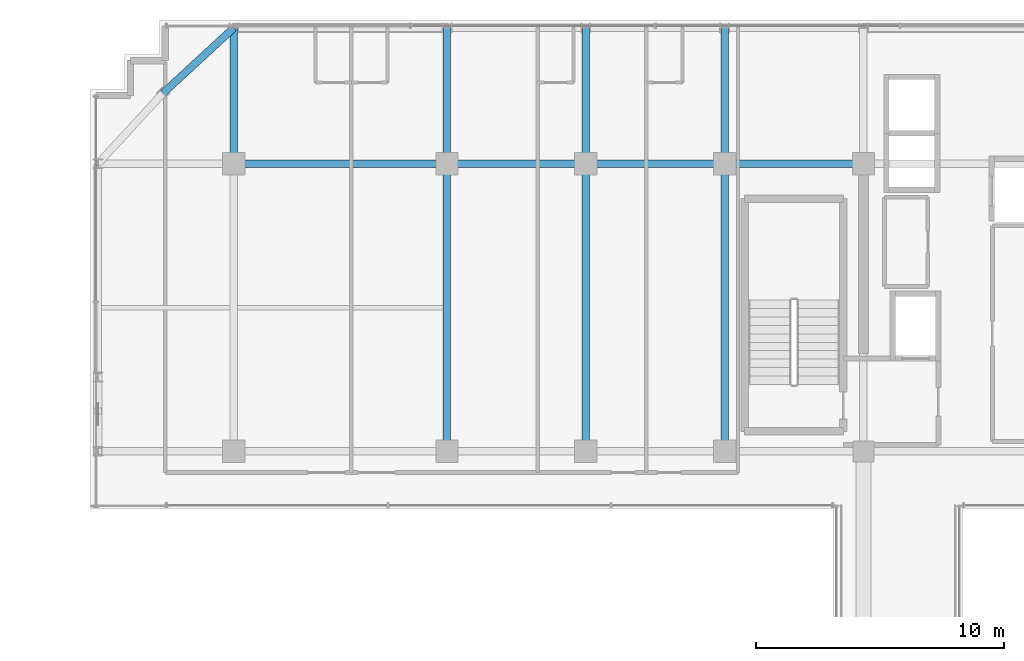
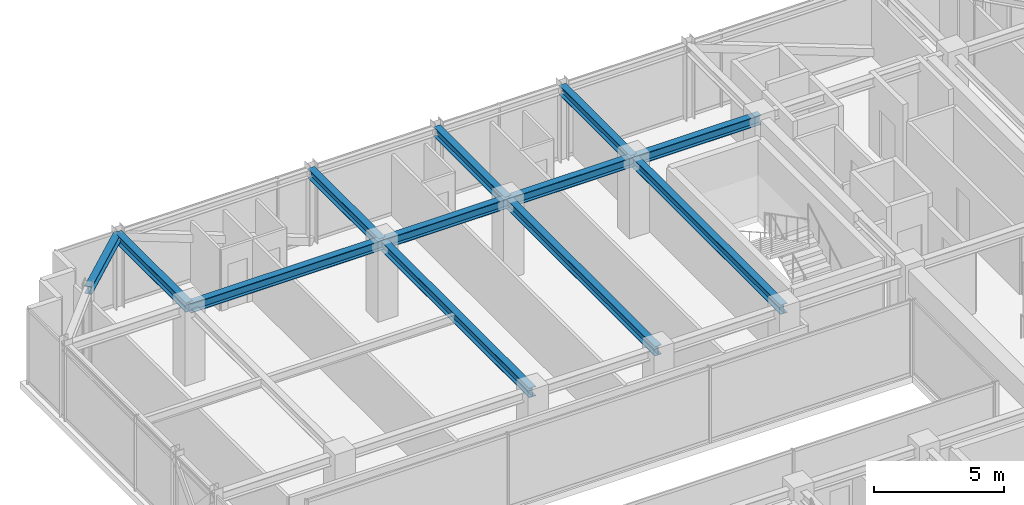
# One storey, part 23 of 37: 12 beams.
"""IFC4 building model written with IfcOpenShell, lengths in metres."""

from ifc_helpers import new_model, si_unit, direction, frame, origin, origin_2d, place, context, subcontext, project, spatial, i_section, extrude, source, transform, mapped, material, material_profile, profile_set, type_object, element, save


model = new_model("IFC4")

# Units and contexts
model_context = context("Model", 3, precision=1e-05, world=origin(), true_north=direction((0.0, 1.0)))
body_context = subcontext(model_context, "Body", "Model", "MODEL_VIEW")
ifc_project = project(units=[si_unit("LENGTHUNIT", "METRE"), si_unit("AREAUNIT", "SQUARE_METRE"), si_unit("VOLUMEUNIT", "CUBIC_METRE"), si_unit("PLANEANGLEUNIT", "RADIAN"), si_unit("MASSUNIT", "GRAM", prefix="KILO")], contexts=[model_context])

# Site, building, storey
site_placement = place(None, origin())
site = spatial("IfcSite", under=ifc_project, at=site_placement, CompositionType="ELEMENT")
building_placement = place(site_placement, origin())
building = spatial("IfcBuilding", under=site, at=building_placement, Name="Nahalor Promenade Grand Hotel", CompositionType="ELEMENT")
storey_placement = place(building_placement, frame((0.0, 0.0, 308.050048828125)))
storey = spatial("IfcBuildingStorey", under=building, at=storey_placement, Name="L79", CompositionType="ELEMENT", Elevation=308.050048828125)

# Beams
ifc_material = material(Name="Steel S355JR", Category="steel")
ifc_material_profile_1 = material_profile(ifc_material, i_section(OverallWidth=0.3, OverallDepth=0.45, WebThickness=0.014, FlangeThickness=0.026, at=origin_2d()), Name="HEB 450")
ifc_profile_set_1 = profile_set([ifc_material_profile_1], Name="Steel S355JR")
beam_type_1 = type_object("IfcBeamType", Name="Beam-Girder-HEB450", PredefinedType="BEAM", material=ifc_profile_set_1)
shared_shape_1 = source(origin(), body_context, "Body", "SweptSolid", [
    extrude(i_section(OverallWidth=0.3, OverallDepth=0.45, WebThickness=0.014, FlangeThickness=0.026, at=origin_2d()), origin(), (0.0, 0.0, 1.0), 8.60009765625),
])
beam_1_placement = place(storey_placement, frame((-17.0, 17.0, 3.324951171875), z_axis=(1.0, 0.0, 0.0), x_axis=(0.0, 1.0, 0.0)))
element("IfcBeam", 1, at=beam_1_placement, inside=storey, type_object=beam_type_1, Name="BM-L79-GX-3-1", PredefinedType="BEAM", context=body_context, shape_type="MappedRepresentation", body=[
    mapped(shared_shape_1, transform((0.0, 0.0, 0.0), scale=1.0)),
])
shared_shape_2 = source(origin(), body_context, "Body", "SweptSolid", [
    extrude(i_section(OverallWidth=0.3, OverallDepth=0.45, WebThickness=0.014, FlangeThickness=0.026, at=origin_2d()), origin(), (0.0, 0.0, 1.0), 5.599853515625),
])
for number, where, z_axis, x_axis, name in (
    (2, (-8.39990234375, 17.0, 3.324951171875), (1.0, 0.0, 0.0), (0.0, 1.0, 0.0), "BM-L79-GX-3-2"),
    (3, (2.800048828125, 17.0, 3.324951171875), (1.0, 0.0, 0.0), (0.0, 1.0, 0.0), "BM-L79-GX-3-4"),
):
    element("IfcBeam", number, at=place(storey_placement, frame(where, z_axis=z_axis, x_axis=x_axis)), inside=storey, type_object=beam_type_1, Name=name, PredefinedType="BEAM", context=body_context, shape_type="MappedRepresentation", body=[
        mapped(shared_shape_2, transform((0.0, 0.0, 0.0), scale=1.0)),
    ])
shared_shape_3 = source(origin(), body_context, "Body", "SweptSolid", [
    extrude(i_section(OverallWidth=0.3, OverallDepth=0.45, WebThickness=0.014, FlangeThickness=0.026, at=origin_2d()), origin(), (0.0, 0.0, 1.0), 5.60009765625),
])
beam_2_placement = place(storey_placement, frame((-2.800048828125, 17.0, 3.324951171875), z_axis=(1.0, 0.0, 0.0), x_axis=(0.0, 1.0, 0.0)))
element("IfcBeam", 4, at=beam_2_placement, inside=storey, type_object=beam_type_1, Name="BM-L79-GX-3-3", PredefinedType="BEAM", context=body_context, shape_type="MappedRepresentation", body=[
    mapped(shared_shape_3, transform((0.0, 0.0, 0.0), scale=1.0)),
])
shared_shape_4 = source(origin(), body_context, "Body", "SweptSolid", [
    extrude(i_section(OverallWidth=0.3, OverallDepth=0.45, WebThickness=0.014, FlangeThickness=0.026, at=origin_2d()), origin(), (0.0, 0.0, 1.0), 11.60009765625),
])
for number, where, z_axis, x_axis, name in (
    (5, (-8.39990234375, 5.39990234375, 3.324951171875), (0.0, 1.0, 0.0), (-1.0, 0.0, 0.0), "BM-L79-GY-1-3"),
    (6, (-2.800048828125, 5.39990234375, 3.324951171875), (0.0, 1.0, 0.0), (-1.0, 0.0, 0.0), "BM-L79-GY-2-3"),
    (7, (2.800048828125, 5.39990234375, 3.324951171875), (0.0, 1.0, 0.0), (-1.0, 0.0, 0.0), "BM-L79-GY-3-3"),
):
    element("IfcBeam", number, at=place(storey_placement, frame(where, z_axis=z_axis, x_axis=x_axis)), inside=storey, type_object=beam_type_1, Name=name, PredefinedType="BEAM", context=body_context, shape_type="MappedRepresentation", body=[
        mapped(shared_shape_4, transform((0.0, 0.0, 0.0), scale=1.0)),
    ])
shared_shape_5 = source(origin(), body_context, "Body", "SweptSolid", [
    extrude(i_section(OverallWidth=0.3, OverallDepth=0.45, WebThickness=0.014, FlangeThickness=0.026, at=origin_2d()), origin(), (0.0, 0.0, 1.0), 5.47998046875),
])
for number, where, z_axis, x_axis, name in (
    (8, (-17.0, 17.0, 3.324951171875), (0.0, 1.0, 0.0), (-1.0, 0.0, 0.0), "BM-L79-GY-0-4"),
    (9, (-8.39990234375, 17.0, 3.324951171875), (0.0, 1.0, 0.0), (-1.0, 0.0, 0.0), "BM-L79-GY-1-4"),
    (10, (-2.800048828125, 17.0, 3.324951171875), (0.0, 1.0, 0.0), (-1.0, 0.0, 0.0), "BM-L79-GY-2-4"),
    (11, (2.800048828125, 17.0, 3.324951171875), (0.0, 1.0, 0.0), (-1.0, 0.0, 0.0), "BM-L79-GY-3-4"),
):
    element("IfcBeam", number, at=place(storey_placement, frame(where, z_axis=z_axis, x_axis=x_axis)), inside=storey, type_object=beam_type_1, Name=name, PredefinedType="BEAM", context=body_context, shape_type="MappedRepresentation", body=[
        mapped(shared_shape_5, transform((0.0, 0.0, 0.0), scale=1.0)),
    ])
ifc_material_profile_2 = material_profile(ifc_material, i_section(OverallWidth=0.3, OverallDepth=0.36, WebThickness=0.0125, FlangeThickness=0.0225, at=origin_2d()), Name="HEB 360")
ifc_profile_set_2 = profile_set([ifc_material_profile_2], Name="Steel S355JR")
beam_type_2 = type_object("IfcBeamType", Name="Beam-Spandrel-HEB360", PredefinedType="SPANDREL", material=ifc_profile_set_2)
shared_shape_6 = source(origin(), body_context, "Body", "SweptSolid", [
    extrude(i_section(OverallWidth=0.3, OverallDepth=0.36, WebThickness=0.0125, FlangeThickness=0.0225, at=origin_2d()), origin(), (0.0, 0.0, 1.0), 3.878173828125),
])
beam_3_placement = place(storey_placement, frame((-17.0, 22.47998046875, 3.369873046875), z_axis=(-0.73492893846, -0.678144125843, 0.0), x_axis=(0.678144125843, -0.73492893846, 0.0)))
element("IfcBeam", 12, at=beam_3_placement, inside=storey, type_object=beam_type_2, Name="BM-L79-SPC-NW-1", PredefinedType="SPANDREL", context=body_context, shape_type="MappedRepresentation", body=[
    mapped(shared_shape_6, transform((0.0, 0.0, 0.0), scale=1.0)),
])

save(model, "model.ifc")
